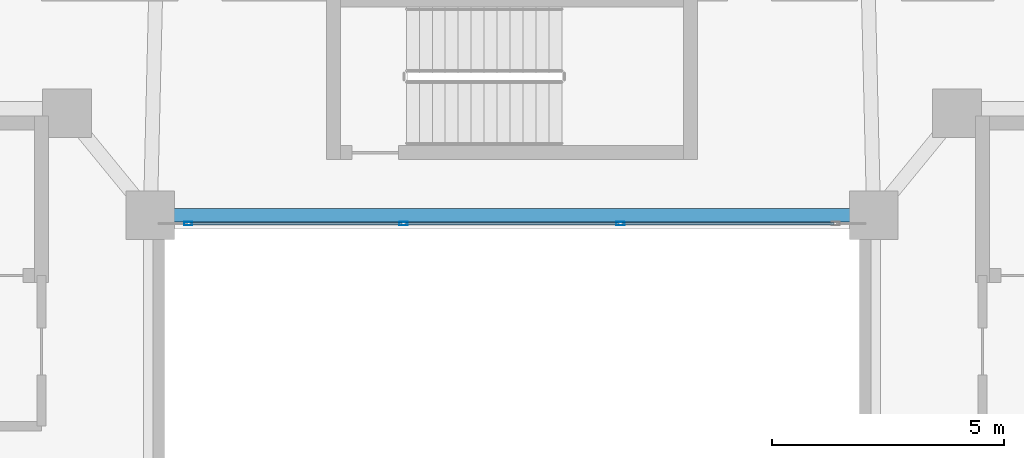
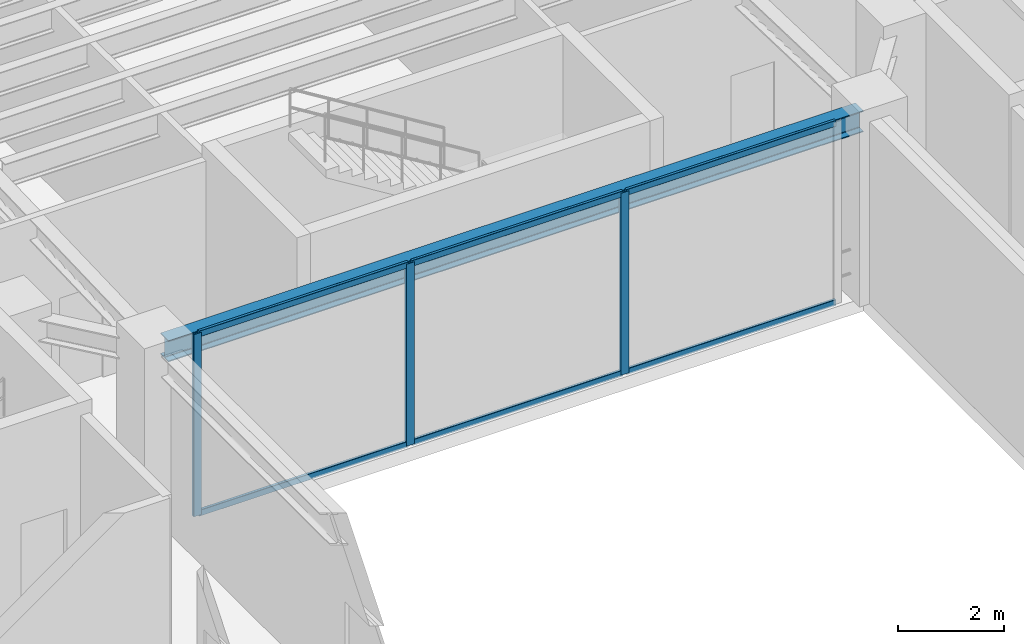
# One storey, part 10 of 33: 9 members, 1 beam, 1 element without a shape of its own.
"""IFC4 building model written with IfcOpenShell, lengths in metres."""

import ifcopenshell
import ifcopenshell.guid

model = None  # the IFC model being written
_history = None  # IfcOwnerHistory: only IFC2X3 demands one
_inside = {}  # id of a spatial element -> (the spatial element, [elements in it])
_under = {}  # id of a project, library or spatial element -> (it, [spatial elements below it])
_declared = {}  # id of a project -> (the project, [libraries it declares])
_typed = {}  # id of a type object -> (the type object, [elements of that type])
_made_of = {}  # id of a material, layer set ... -> (it, [elements and type objects made of it])


def new_model(schema):
    """Start an empty IFC model of exactly this schema.

    Asked for "IFC4X3", IfcOpenShell would pick the latest addendum, in which some entities
    have other attributes; the version numbers below select the first issue.
    IFC2X3 requires an IfcOwnerHistory on every rooted entity: one is made here for all.
    """
    global model, _history
    if schema == "IFC4X3":
        model = ifcopenshell.file(schema_version=(4, 3, 0, 0))
    else:
        model = ifcopenshell.file(schema=schema)
    _inside.clear()
    _under.clear()
    _declared.clear()
    _typed.clear()
    _made_of.clear()
    _history = None
    if model.schema == "IFC2X3":
        org = make("IfcOrganization", Name="unknown")
        user = make(
            "IfcPersonAndOrganization",
            ThePerson=make("IfcPerson", FamilyName="unknown"),
            TheOrganization=org,
        )
        app = make(
            "IfcApplication",
            ApplicationDeveloper=org,
            Version="unknown",
            ApplicationFullName="unknown",
            ApplicationIdentifier="unknown",
        )
        _history = make(
            "IfcOwnerHistory",
            OwningUser=user,
            OwningApplication=app,
            ChangeAction="ADDED",
            CreationDate=0,
        )
    return model


def make(cls, **values):
    """One entity of the class cls with the attributes given. An attribute that is None is left unset."""
    return model.create_entity(
        cls, **{name: value for name, value in values.items() if value is not None}
    )


def rooted(cls, **values):
    """An entity with a GlobalId (a new one), such as an element, a storey or a relation."""
    return make(cls, GlobalId=ifcopenshell.guid.new(), OwnerHistory=_history, **values)


def si_unit(unit_type, name, prefix=None):
    """IfcSIUnit, for example si_unit("LENGTHUNIT", "METRE", prefix="MILLI")."""
    return make("IfcSIUnit", UnitType=unit_type, Prefix=prefix, Name=name)


def assignment(units):
    """IfcUnitAssignment: the units of a project."""
    return None if units is None else make("IfcUnitAssignment", Units=units)


def point(xyz):
    """IfcCartesianPoint."""
    return None if xyz is None else make("IfcCartesianPoint", Coordinates=xyz)


def direction(xyz):
    """IfcDirection."""
    return None if xyz is None else make("IfcDirection", DirectionRatios=xyz)


def frame(location, z_axis=None, x_axis=None):
    """IfcAxis2Placement3D, a coordinate frame: its origin and axes. An axis left out is left unset."""
    return make(
        "IfcAxis2Placement3D",
        Location=point(location),
        Axis=direction(z_axis),
        RefDirection=direction(x_axis),
    )


def frame_2d(location, x_axis=None):
    """IfcAxis2Placement2D, a coordinate frame in the plane: its origin and x axis."""
    return make(
        "IfcAxis2Placement2D", Location=point(location), RefDirection=direction(x_axis)
    )


def origin():
    """The frame at (0, 0, 0) with its axes left unset."""
    return frame((0.0, 0.0, 0.0))


def origin_2d():
    """The frame at (0, 0) in the plane with its x axis left unset."""
    return frame_2d((0.0, 0.0))


def place(relative_to, where):
    """IfcLocalPlacement: puts the frame where relative to a parent placement (None: the world)."""
    return make(
        "IfcLocalPlacement", PlacementRelTo=relative_to, RelativePlacement=where
    )


def context(
    kind, dimensions, precision=None, world=None, true_north=None, identifier=None
):
    """IfcGeometricRepresentationContext, for example the 3D "Model" context."""
    return make(
        "IfcGeometricRepresentationContext",
        ContextIdentifier=identifier,
        ContextType=kind,
        CoordinateSpaceDimension=dimensions,
        Precision=precision,
        WorldCoordinateSystem=world,
        TrueNorth=true_north,
    )


def subcontext(parent, identifier, kind, view, scale=None):
    """IfcGeometricRepresentationSubContext, for example "Body" below "Model"."""
    return make(
        "IfcGeometricRepresentationSubContext",
        ContextIdentifier=identifier,
        ContextType=kind,
        ParentContext=parent,
        TargetScale=scale,
        TargetView=view,
    )


def project(units=None, contexts=None):
    """IfcProject with its units and contexts."""
    return rooted(
        "IfcProject",
        Name="project",
        RepresentationContexts=contexts,
        UnitsInContext=assignment(units),
    )


def spatial(cls, under=None, at=None, **own):
    """A site, building, storey or space (cls), placed at a placement, below another one or the project."""
    s = rooted(cls, ObjectPlacement=at, **own)
    if under is not None:
        _under.setdefault(under.id(), (under, []))[1].append(s)
    return s


def profile(cls, at=None, kind="AREA", **sizes):
    """A parametric profile (cls). Its sizes go by their IFC names, for example OverallWidth=200.0."""
    return make(cls, ProfileType=kind, Position=at, **sizes)


def hollow_rectangle(**sizes):
    """IfcRectangleHollowProfileDef."""
    return profile("IfcRectangleHollowProfileDef", **sizes)


def i_section(**sizes):
    """IfcIShapeProfileDef."""
    return profile("IfcIShapeProfileDef", **sizes)


def extrude(swept, where, along, depth):
    """IfcExtrudedAreaSolid: the profile swept, set in the frame where, extruded along a direction by depth."""
    return make(
        "IfcExtrudedAreaSolid",
        SweptArea=swept,
        Position=where,
        ExtrudedDirection=direction(along),
        Depth=depth,
    )


def shape(context_of_items, identifier, shape_type, items):
    """IfcShapeRepresentation: the items that make up one representation, for example the "Body"."""
    return make(
        "IfcShapeRepresentation",
        ContextOfItems=context_of_items,
        RepresentationIdentifier=identifier,
        RepresentationType=shape_type,
        Items=items,
    )


def material(Name=None, Category=None):
    """IfcMaterial."""
    return make("IfcMaterial", Name=Name, Category=Category)


def layer(
    of_material, thickness, ventilated=None, Name=None, Category=None, Priority=None
):
    """IfcMaterialLayer: one layer of a wall or slab, of a material (None: an air gap)."""
    return make(
        "IfcMaterialLayer",
        Material=of_material,
        LayerThickness=thickness,
        IsVentilated=ventilated,
        Name=Name,
        Category=Category,
        Priority=Priority,
    )


def layer_set(layers, Name=None):
    """IfcMaterialLayerSet."""
    return make("IfcMaterialLayerSet", MaterialLayers=layers, LayerSetName=Name)


def material_profile(
    of_material, cross_section, Name=None, Category=None, Priority=None
):
    """IfcMaterialProfile: a cross section and its material."""
    return make(
        "IfcMaterialProfile",
        Name=Name,
        Material=of_material,
        Profile=cross_section,
        Priority=Priority,
        Category=Category,
    )


def profile_set(profiles, Name=None, composite=None):
    """IfcMaterialProfileSet."""
    return make(
        "IfcMaterialProfileSet",
        Name=Name,
        MaterialProfiles=profiles,
        CompositeProfile=composite,
    )


def made_of(thing, what):
    """Note that an element or type object is made of a material, layer set ...; save() writes the relation."""
    if what is not None:
        _made_of.setdefault(what.id(), (what, []))[1].append(thing)
    return thing


def type_object(cls, material=None, **own):
    """A type object (cls), such as IfcWallType, which elements share."""
    return made_of(rooted(cls, **own), material)


def element(
    cls,
    number,
    at=None,
    inside=None,
    cuts=None,
    type_object=None,
    material=None,
    context=None,
    identifier="Body",
    shape_type=None,
    held_by="IfcProductDefinitionShape",
    body=None,
    shapes=None,
    **own,
):
    """One element of the class cls, such as IfcWall. Its Tag is "e" and its number.

    at: its placement. inside: the storey or other place that contains it. cuts: it is an
    opening in that element (IfcRelVoidsElement). A single representation is given by context,
    identifier, shape_type and body (its items); several are given by shapes. held_by: the class
    of the entity that holds the representations. save() writes the other relations.
    """
    e = rooted(cls, Tag="e%d" % number, ObjectPlacement=at, **own)
    if body is not None:
        shapes = [shape(context, identifier, shape_type, body)]
    if shapes is not None:
        e.Representation = make(held_by, Representations=shapes)
    if inside is not None:
        _inside.setdefault(inside.id(), (inside, []))[1].append(e)
    if cuts is not None:
        rooted(
            "IfcRelVoidsElement", RelatingBuildingElement=cuts, RelatedOpeningElement=e
        )
    if type_object is not None:
        _typed.setdefault(type_object.id(), (type_object, []))[1].append(e)
    return made_of(e, material)


def aggregate(whole, parts):
    """IfcRelAggregates: a whole, such as a stair, and the parts it consists of."""
    return rooted("IfcRelAggregates", RelatingObject=whole, RelatedObjects=parts)


def save(model, path):
    """Write the relations noted so far, then the file.

    IfcRelAggregates (storeys below a building ...), IfcRelContainedInSpatialStructure (elements
    in a storey), IfcRelDefinesByType, IfcRelAssociatesMaterial and IfcRelDeclares: one each for
    every whole, place, type object, material and project.
    """
    for whole, parts in _under.values():
        aggregate(whole, parts)
    for where, things in _inside.values():
        rooted(
            "IfcRelContainedInSpatialStructure",
            RelatedElements=things,
            RelatingStructure=where,
        )
    for kind, things in _typed.values():
        rooted("IfcRelDefinesByType", RelatedObjects=things, RelatingType=kind)
    for what, things in _made_of.values():
        rooted("IfcRelAssociatesMaterial", RelatedObjects=things, RelatingMaterial=what)
    for by, libraries in _declared.values():
        rooted("IfcRelDeclares", RelatingContext=by, RelatedDefinitions=libraries)
    model.write(path)


model = new_model("IFC4")

# Units and contexts
model_context = context("Model", 3, precision=1e-05, world=origin(), true_north=direction((0.0, 1.0)))
body_context = subcontext(model_context, "Body", "Model", "MODEL_VIEW")
ifc_project = project(units=[si_unit("LENGTHUNIT", "METRE"), si_unit("AREAUNIT", "SQUARE_METRE"), si_unit("VOLUMEUNIT", "CUBIC_METRE"), si_unit("PLANEANGLEUNIT", "RADIAN"), si_unit("MASSUNIT", "GRAM", prefix="KILO")], contexts=[model_context])

# Site, building, storey
site_placement = place(None, origin())
site = spatial("IfcSite", under=ifc_project, at=site_placement, CompositionType="ELEMENT")
building_placement = place(site_placement, origin())
building = spatial("IfcBuilding", under=site, at=building_placement, Name="Tarnavaz Court Tower", CompositionType="ELEMENT")
storey_placement = place(building_placement, frame((0.0, 0.0, 177.300048828125)))
storey = spatial("IfcBuildingStorey", under=building, at=storey_placement, Name="L48", CompositionType="ELEMENT", Elevation=177.300048828125)

# Beam
ifc_material_1 = material(Name="Steel S355", Category="steel")
ifc_material_profile_1 = material_profile(ifc_material_1, i_section(OverallWidth=0.300048828125, OverallDepth=0.489990234375, WebThickness=0.011962890625, FlangeThickness=0.02294921875, FilletRadius=0.027099609375, at=origin_2d()), Name="HEA 500")
ifc_profile_set_1 = profile_set([ifc_material_profile_1], Name="Steel S355")
beam_type = type_object("IfcBeamType", Name="BM-SP-HEA500", PredefinedType="SPANDREL", material=ifc_profile_set_1)
beam_placement = place(storey_placement, frame((-7.580078125, 7.800048828125, 3.954833984375), z_axis=(1.0, 0.0, 0.0), x_axis=(0.0, 1.0, 0.0)))
element("IfcBeam", 1, at=beam_placement, inside=storey, type_object=beam_type, Name="L48 Beam IN-IW-NW-IW-NE", PredefinedType="SPANDREL", context=body_context, shape_type="SweptSolid", body=[
    extrude(i_section(OverallWidth=0.300048828125, OverallDepth=0.489990234375, WebThickness=0.011962890625, FlangeThickness=0.02294921875, FilletRadius=0.027099609375, at=origin_2d()), origin(), (0.0, 0.0, 1.0), 15.16015625),
])

# Curtain wall, members
ifc_material_2 = material(Name="Anodised Aluminium 6063-T6 and Solar Low-E Glazing", Category="aluminium")
ifc_layer = layer(ifc_material_2, 0.139892578125)
ifc_layer_set = layer_set([ifc_layer], Name="Anodised Aluminium 6063-T6 and Solar Low-E Glazing")
curtain_wall_type = type_object("IfcCurtainWallType", Name="CW-SYS-04", PredefinedType="NOTDEFINED", material=ifc_layer_set)
curtain_wall_placement = place(storey_placement, origin())
curtain_wall = element("IfcCurtainWall", 2, at=curtain_wall_placement, inside=storey, type_object=curtain_wall_type, Name="L48 Badgir Courtyard Curtain Wall N", PredefinedType="NOTDEFINED")
ifc_material_3 = material(Name="Anodised Aluminium 6063-T6", Category="aluminium")
ifc_material_profile_2 = material_profile(ifc_material_3, hollow_rectangle(XDim=0.074951171875, YDim=0.179931640625, WallThickness=0.0048828125, InnerFilletRadius=0.0048828125, OuterFilletRadius=0.010009765625, at=origin_2d()), Name="ALU RHS 180X75X5")
ifc_profile_set_2 = profile_set([ifc_material_profile_2], Name="Anodised Aluminium 6063-T6")
member_type_1 = type_object("IfcMemberType", Name="CW-MUL-180", PredefinedType="MULLION", material=ifc_profile_set_2)
member_1_placement = place(storey_placement, frame((2.340087890625, 7.6201171875, 0.0), z_axis=(0.0, 0.0, 1.0), x_axis=(0.0, -1.0, 0.0)))
member_1 = element("IfcMember", 3, at=member_1_placement, type_object=member_type_1, Name="CW mullion 2", PredefinedType="MULLION", context=body_context, shape_type="SweptSolid", body=[
    extrude(hollow_rectangle(XDim=0.074951171875, YDim=0.179931640625, WallThickness=0.0048828125, InnerFilletRadius=0.0048828125, OuterFilletRadius=0.010009765625, at=origin_2d()), origin(), (0.0, 0.0, 1.0), 4.199951171875),
])
member_2_placement = place(storey_placement, frame((-2.340087890625, 7.6201171875, 0.0), z_axis=(0.0, 0.0, 1.0), x_axis=(0.0, -1.0, 0.0)))
member_2 = element("IfcMember", 4, at=member_2_placement, type_object=member_type_1, Name="CW mullion 3", PredefinedType="MULLION", context=body_context, shape_type="SweptSolid", body=[
    extrude(hollow_rectangle(XDim=0.074951171875, YDim=0.179931640625, WallThickness=0.0048828125, InnerFilletRadius=0.0048828125, OuterFilletRadius=0.010009765625, at=origin_2d()), origin(), (0.0, 0.0, 1.0), 4.199951171875),
])
member_3_placement = place(storey_placement, frame((-6.982421875, 7.6201171875, 0.0), z_axis=(0.0, 0.0, 1.0), x_axis=(0.0, -1.0, 0.0)))
member_3 = element("IfcMember", 5, at=member_3_placement, type_object=member_type_1, Name="CW mullion 4", PredefinedType="MULLION", context=body_context, shape_type="SweptSolid", body=[
    extrude(hollow_rectangle(XDim=0.074951171875, YDim=0.179931640625, WallThickness=0.0048828125, InnerFilletRadius=0.0048828125, OuterFilletRadius=0.010009765625, at=origin_2d()), origin(), (0.0, 0.0, 1.0), 4.199951171875),
])
ifc_material_profile_3 = material_profile(ifc_material_3, hollow_rectangle(XDim=0.06494140625, YDim=0.139892578125, WallThickness=0.00390625, InnerFilletRadius=0.00390625, OuterFilletRadius=0.008056640625, at=origin_2d()), Name="ALU RHS 140X65X4")
ifc_profile_set_3 = profile_set([ifc_material_profile_3], Name="Anodised Aluminium 6063-T6")
member_type_2 = type_object("IfcMemberType", Name="CW-TRN-140", PredefinedType="USERDEFINED", material=ifc_profile_set_3)
member_4_placement = place(storey_placement, frame((6.945068359375, 7.6201171875, 0.032470703125), z_axis=(-1.0, 0.0, 0.0), x_axis=(0.0, -1.0, 0.0)))
member_4 = element("IfcMember", 6, at=member_4_placement, type_object=member_type_2, Name="CW transom 1.1", ObjectType="TRANSOM", PredefinedType="USERDEFINED", context=body_context, shape_type="SweptSolid", body=[
    extrude(hollow_rectangle(XDim=0.06494140625, YDim=0.139892578125, WallThickness=0.00390625, InnerFilletRadius=0.00390625, OuterFilletRadius=0.008056640625, at=origin_2d()), origin(), (0.0, 0.0, 1.0), 4.567626953125),
])
member_5_placement = place(storey_placement, frame((6.945068359375, 7.6201171875, 4.16748046875), z_axis=(-1.0, 0.0, 0.0), x_axis=(0.0, -1.0, 0.0)))
member_5 = element("IfcMember", 7, at=member_5_placement, type_object=member_type_2, Name="CW transom 1.2", ObjectType="TRANSOM", PredefinedType="USERDEFINED", context=body_context, shape_type="SweptSolid", body=[
    extrude(hollow_rectangle(XDim=0.06494140625, YDim=0.139892578125, WallThickness=0.00390625, InnerFilletRadius=0.00390625, OuterFilletRadius=0.008056640625, at=origin_2d()), origin(), (0.0, 0.0, 1.0), 4.567626953125),
])
member_6_placement = place(storey_placement, frame((2.302490234375, 7.6201171875, 0.032470703125), z_axis=(-1.0, 0.0, 0.0), x_axis=(0.0, -1.0, 0.0)))
member_6 = element("IfcMember", 8, at=member_6_placement, type_object=member_type_2, Name="CW transom 2.1", ObjectType="TRANSOM", PredefinedType="USERDEFINED", context=body_context, shape_type="SweptSolid", body=[
    extrude(hollow_rectangle(XDim=0.06494140625, YDim=0.139892578125, WallThickness=0.00390625, InnerFilletRadius=0.00390625, OuterFilletRadius=0.008056640625, at=origin_2d()), origin(), (0.0, 0.0, 1.0), 4.60498046875),
])
member_7_placement = place(storey_placement, frame((2.302490234375, 7.6201171875, 4.16748046875), z_axis=(-1.0, 0.0, 0.0), x_axis=(0.0, -1.0, 0.0)))
member_7 = element("IfcMember", 9, at=member_7_placement, type_object=member_type_2, Name="CW transom 2.2", ObjectType="TRANSOM", PredefinedType="USERDEFINED", context=body_context, shape_type="SweptSolid", body=[
    extrude(hollow_rectangle(XDim=0.06494140625, YDim=0.139892578125, WallThickness=0.00390625, InnerFilletRadius=0.00390625, OuterFilletRadius=0.008056640625, at=origin_2d()), origin(), (0.0, 0.0, 1.0), 4.60498046875),
])
member_8_placement = place(storey_placement, frame((-2.37744140625, 7.6201171875, 0.032470703125), z_axis=(-1.0, 0.0, 0.0), x_axis=(0.0, -1.0, 0.0)))
member_8 = element("IfcMember", 10, at=member_8_placement, type_object=member_type_2, Name="CW transom 3.1", ObjectType="TRANSOM", PredefinedType="USERDEFINED", context=body_context, shape_type="SweptSolid", body=[
    extrude(hollow_rectangle(XDim=0.06494140625, YDim=0.139892578125, WallThickness=0.00390625, InnerFilletRadius=0.00390625, OuterFilletRadius=0.008056640625, at=origin_2d()), origin(), (0.0, 0.0, 1.0), 4.567626953125),
])
member_9_placement = place(storey_placement, frame((-2.37744140625, 7.6201171875, 4.16748046875), z_axis=(-1.0, 0.0, 0.0), x_axis=(0.0, -1.0, 0.0)))
member_9 = element("IfcMember", 11, at=member_9_placement, type_object=member_type_2, Name="CW transom 3.2", ObjectType="TRANSOM", PredefinedType="USERDEFINED", context=body_context, shape_type="SweptSolid", body=[
    extrude(hollow_rectangle(XDim=0.06494140625, YDim=0.139892578125, WallThickness=0.00390625, InnerFilletRadius=0.00390625, OuterFilletRadius=0.008056640625, at=origin_2d()), origin(), (0.0, 0.0, 1.0), 4.567626953125),
])
aggregate(curtain_wall, [member_1, member_2, member_3, member_4, member_5, member_6, member_7, member_8, member_9])

save(model, "model.ifc")
